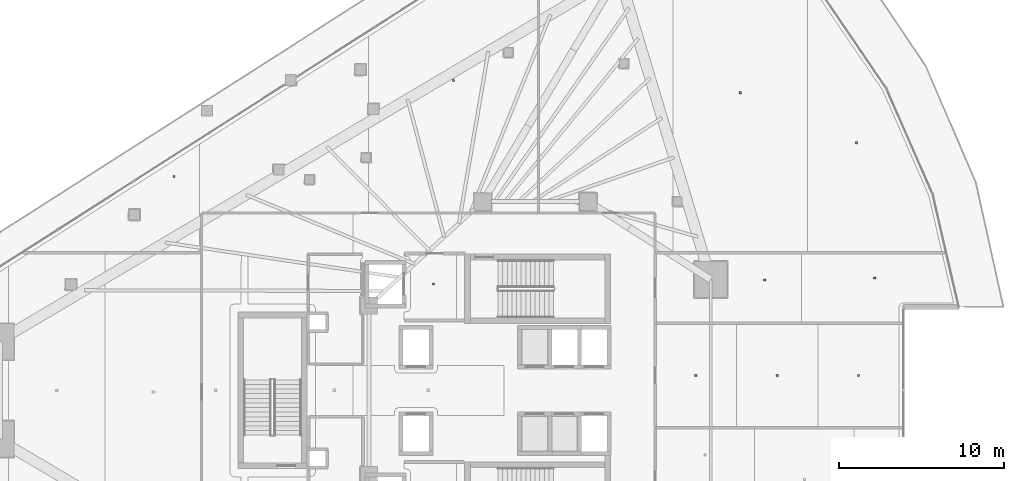
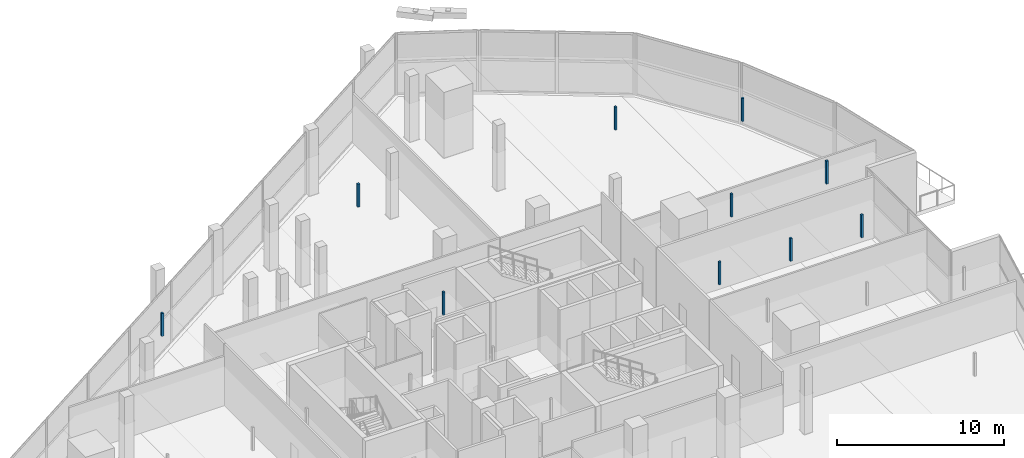
# One storey, part 31 of 42: 10 discrete accessories.
"""IFC4 building model written with IfcOpenShell, lengths in metres."""

from ifc_helpers import new_model, si_unit, direction, frame, origin, origin_2d, place, context, subcontext, project, spatial, rectangle, extrude, material, type_object, element, save


model = new_model("IFC4")

# Units and contexts
model_context = context("Model", 3, precision=1e-05, world=origin(), true_north=direction((0.0, 1.0)))
body_context = subcontext(model_context, "Body", "Model", "MODEL_VIEW")
ifc_project = project(units=[si_unit("LENGTHUNIT", "METRE"), si_unit("AREAUNIT", "SQUARE_METRE"), si_unit("VOLUMEUNIT", "CUBIC_METRE"), si_unit("PLANEANGLEUNIT", "RADIAN"), si_unit("MASSUNIT", "GRAM", prefix="KILO")], contexts=[model_context])

# Site, building, storey
site_placement = place(None, origin())
site = spatial("IfcSite", under=ifc_project, at=site_placement, CompositionType="ELEMENT")
building_placement = place(site_placement, origin())
building = spatial("IfcBuilding", under=site, at=building_placement, Name="Qorvath Tower", CompositionType="ELEMENT")
storey_placement = place(building_placement, frame((0.0, 0.0, 105.0)))
storey = spatial("IfcBuildingStorey", under=building, at=storey_placement, Name="L23", CompositionType="ELEMENT", Elevation=105.0)

# Discrete accessories
ifc_material = material(Name="Galvanised steel bracket", Category="steel")
discrete_accessory_type = type_object("IfcDiscreteAccessoryType", Name="DA-BRACKET", PredefinedType="BRACKET", material=ifc_material)
for number, where, z_axis, x_axis, name in (
    (1, (-26.590087890625, 6.449951171875, 2.860107421875), (0.0, 0.0, 1.0), (1.0, 0.0, 0.0), "Acoustic Ceiling Suspension Hanger T1-L23-001"),
    (2, (-42.328125, 12.972900390625, 2.860107421875), (0.0, 0.0, 1.0), (1.0, 0.0, 0.0), "Acoustic Ceiling Suspension Hanger T1-L23-008"),
    (3, (-25.378662109375, 18.79345703125, 2.860107421875), (0.0, 0.0, 1.0), (1.0, 0.0, 0.0), "Acoustic Ceiling Suspension Hanger T1-L23-010"),
    (4, (-7.982177734375, 18.064208984375, 2.860107421875), (0.0, 0.0, 1.0), (1.0, 0.0, 0.0), "Acoustic Ceiling Suspension Hanger T1-L23-012"),
    (5, (-0.92578125, 15.026123046875, 2.860107421875), (0.0, 0.0, 1.0), (1.0, 0.0, 0.0), "Acoustic Ceiling Suspension Hanger T1-L23-013"),
    (6, (-10.671630859375, 0.90380859375, 2.860107421875), (0.0, 0.0, 1.0), (1.0, 0.0, 0.0), "Acoustic Ceiling Suspension Hanger T1-L23-025"),
    (7, (-5.74072265625, 0.90380859375, 2.860107421875), (0.0, 0.0, 1.0), (1.0, 0.0, 0.0), "Acoustic Ceiling Suspension Hanger T1-L23-026"),
    (8, (-0.809814453125, 0.90380859375, 2.860107421875), (0.0, 0.0, 1.0), (1.0, 0.0, 0.0), "Acoustic Ceiling Suspension Hanger T1-L23-027"),
    (9, (-6.4970703125, 6.7001953125, 2.860107421875), (0.0, 0.0, 1.0), (1.0, 0.0, 0.0), "Acoustic Ceiling Suspension Hanger T1-L23-028"),
    (10, (0.171630859375, 6.8232421875, 2.860107421875), (0.0, 0.0, 1.0), (1.0, 0.0, 0.0), "Acoustic Ceiling Suspension Hanger T1-L23-029"),
):
    element("IfcDiscreteAccessory", number, at=place(storey_placement, frame(where, z_axis=z_axis, x_axis=x_axis)), inside=storey, type_object=discrete_accessory_type, Name=name, PredefinedType="NOTDEFINED", context=body_context, shape_type="SweptSolid", body=[
        extrude(rectangle(XDim=0.139892578125, YDim=0.139892578125, at=origin_2d()), origin(), (0.0, 0.0, 1.0), 1.68994140625),
    ])

save(model, "model.ifc")
